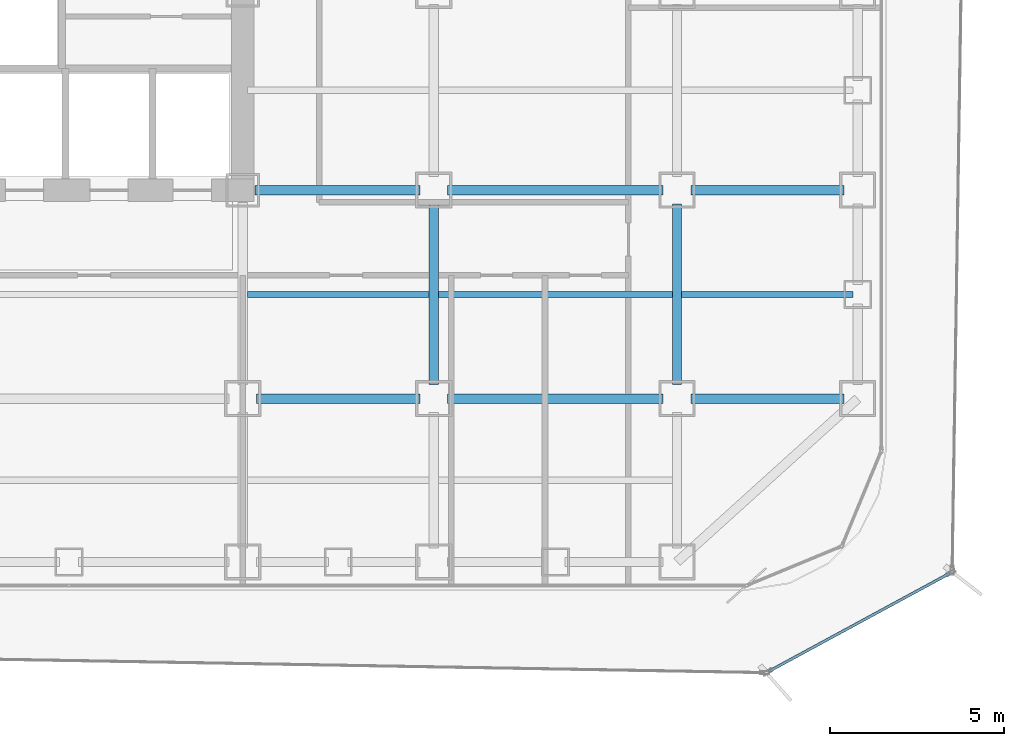
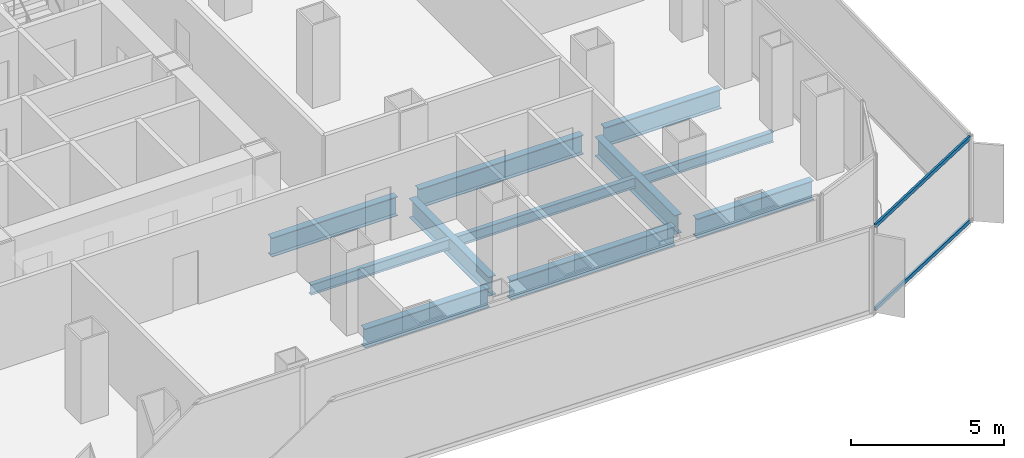
# One storey, part 7 of 21: 11 beams, 2 members, 1 element without a shape of its own.
"""IFC4 building model written with IfcOpenShell, lengths in metres."""

import ifcopenshell
import ifcopenshell.guid

model = None  # the IFC model being written
_history = None  # IfcOwnerHistory: only IFC2X3 demands one
_inside = {}  # id of a spatial element -> (the spatial element, [elements in it])
_under = {}  # id of a project, library or spatial element -> (it, [spatial elements below it])
_declared = {}  # id of a project -> (the project, [libraries it declares])
_typed = {}  # id of a type object -> (the type object, [elements of that type])
_made_of = {}  # id of a material, layer set ... -> (it, [elements and type objects made of it])


def new_model(schema):
    """Start an empty IFC model of exactly this schema.

    Asked for "IFC4X3", IfcOpenShell would pick the latest addendum, in which some entities
    have other attributes; the version numbers below select the first issue.
    IFC2X3 requires an IfcOwnerHistory on every rooted entity: one is made here for all.
    """
    global model, _history
    if schema == "IFC4X3":
        model = ifcopenshell.file(schema_version=(4, 3, 0, 0))
    else:
        model = ifcopenshell.file(schema=schema)
    _inside.clear()
    _under.clear()
    _declared.clear()
    _typed.clear()
    _made_of.clear()
    _history = None
    if model.schema == "IFC2X3":
        org = make("IfcOrganization", Name="unknown")
        user = make(
            "IfcPersonAndOrganization",
            ThePerson=make("IfcPerson", FamilyName="unknown"),
            TheOrganization=org,
        )
        app = make(
            "IfcApplication",
            ApplicationDeveloper=org,
            Version="unknown",
            ApplicationFullName="unknown",
            ApplicationIdentifier="unknown",
        )
        _history = make(
            "IfcOwnerHistory",
            OwningUser=user,
            OwningApplication=app,
            ChangeAction="ADDED",
            CreationDate=0,
        )
    return model


def make(cls, **values):
    """One entity of the class cls with the attributes given. An attribute that is None is left unset."""
    return model.create_entity(
        cls, **{name: value for name, value in values.items() if value is not None}
    )


def rooted(cls, **values):
    """An entity with a GlobalId (a new one), such as an element, a storey or a relation."""
    return make(cls, GlobalId=ifcopenshell.guid.new(), OwnerHistory=_history, **values)


def si_unit(unit_type, name, prefix=None):
    """IfcSIUnit, for example si_unit("LENGTHUNIT", "METRE", prefix="MILLI")."""
    return make("IfcSIUnit", UnitType=unit_type, Prefix=prefix, Name=name)


def assignment(units):
    """IfcUnitAssignment: the units of a project."""
    return None if units is None else make("IfcUnitAssignment", Units=units)


def point(xyz):
    """IfcCartesianPoint."""
    return None if xyz is None else make("IfcCartesianPoint", Coordinates=xyz)


def direction(xyz):
    """IfcDirection."""
    return None if xyz is None else make("IfcDirection", DirectionRatios=xyz)


def frame(location, z_axis=None, x_axis=None):
    """IfcAxis2Placement3D, a coordinate frame: its origin and axes. An axis left out is left unset."""
    return make(
        "IfcAxis2Placement3D",
        Location=point(location),
        Axis=direction(z_axis),
        RefDirection=direction(x_axis),
    )


def frame_2d(location, x_axis=None):
    """IfcAxis2Placement2D, a coordinate frame in the plane: its origin and x axis."""
    return make(
        "IfcAxis2Placement2D", Location=point(location), RefDirection=direction(x_axis)
    )


def origin():
    """The frame at (0, 0, 0) with its axes left unset."""
    return frame((0.0, 0.0, 0.0))


def origin_2d():
    """The frame at (0, 0) in the plane with its x axis left unset."""
    return frame_2d((0.0, 0.0))


def place(relative_to, where):
    """IfcLocalPlacement: puts the frame where relative to a parent placement (None: the world)."""
    return make(
        "IfcLocalPlacement", PlacementRelTo=relative_to, RelativePlacement=where
    )


def context(
    kind, dimensions, precision=None, world=None, true_north=None, identifier=None
):
    """IfcGeometricRepresentationContext, for example the 3D "Model" context."""
    return make(
        "IfcGeometricRepresentationContext",
        ContextIdentifier=identifier,
        ContextType=kind,
        CoordinateSpaceDimension=dimensions,
        Precision=precision,
        WorldCoordinateSystem=world,
        TrueNorth=true_north,
    )


def subcontext(parent, identifier, kind, view, scale=None):
    """IfcGeometricRepresentationSubContext, for example "Body" below "Model"."""
    return make(
        "IfcGeometricRepresentationSubContext",
        ContextIdentifier=identifier,
        ContextType=kind,
        ParentContext=parent,
        TargetScale=scale,
        TargetView=view,
    )


def project(units=None, contexts=None):
    """IfcProject with its units and contexts."""
    return rooted(
        "IfcProject",
        Name="project",
        RepresentationContexts=contexts,
        UnitsInContext=assignment(units),
    )


def spatial(cls, under=None, at=None, **own):
    """A site, building, storey or space (cls), placed at a placement, below another one or the project."""
    s = rooted(cls, ObjectPlacement=at, **own)
    if under is not None:
        _under.setdefault(under.id(), (under, []))[1].append(s)
    return s


def profile(cls, at=None, kind="AREA", **sizes):
    """A parametric profile (cls). Its sizes go by their IFC names, for example OverallWidth=200.0."""
    return make(cls, ProfileType=kind, Position=at, **sizes)


def hollow_rectangle(**sizes):
    """IfcRectangleHollowProfileDef."""
    return profile("IfcRectangleHollowProfileDef", **sizes)


def i_section(**sizes):
    """IfcIShapeProfileDef."""
    return profile("IfcIShapeProfileDef", **sizes)


def extrude(swept, where, along, depth):
    """IfcExtrudedAreaSolid: the profile swept, set in the frame where, extruded along a direction by depth."""
    return make(
        "IfcExtrudedAreaSolid",
        SweptArea=swept,
        Position=where,
        ExtrudedDirection=direction(along),
        Depth=depth,
    )


def shape(context_of_items, identifier, shape_type, items):
    """IfcShapeRepresentation: the items that make up one representation, for example the "Body"."""
    return make(
        "IfcShapeRepresentation",
        ContextOfItems=context_of_items,
        RepresentationIdentifier=identifier,
        RepresentationType=shape_type,
        Items=items,
    )


def source(mapping_origin, context_of_items, identifier, shape_type, items):
    """IfcRepresentationMap: a shape defined once, which mapped items show again and again."""
    return make(
        "IfcRepresentationMap",
        MappingOrigin=mapping_origin,
        MappedRepresentation=shape(context_of_items, identifier, shape_type, items),
    )


def transform(
    local_origin,
    x_axis=None,
    y_axis=None,
    z_axis=None,
    scale=None,
    scale2=None,
    scale3=None,
    uniform=True,
):
    """IfcCartesianTransformationOperator3D, or its non-uniform kind. x_axis, y_axis, z_axis: its Axis1, 2, 3."""
    if uniform:
        return make(
            "IfcCartesianTransformationOperator3D",
            Axis1=direction(x_axis),
            Axis2=direction(y_axis),
            LocalOrigin=point(local_origin),
            Scale=scale,
            Axis3=direction(z_axis),
        )
    return make(
        "IfcCartesianTransformationOperator3DnonUniform",
        Axis1=direction(x_axis),
        Axis2=direction(y_axis),
        LocalOrigin=point(local_origin),
        Scale=scale,
        Axis3=direction(z_axis),
        Scale2=scale2,
        Scale3=scale3,
    )


def mapped(mapping_source, mapping_target):
    """IfcMappedItem: shows the shape of a source again, moved by a transform."""
    return make(
        "IfcMappedItem", MappingSource=mapping_source, MappingTarget=mapping_target
    )


def material(Name=None, Category=None):
    """IfcMaterial."""
    return make("IfcMaterial", Name=Name, Category=Category)


def layer(
    of_material, thickness, ventilated=None, Name=None, Category=None, Priority=None
):
    """IfcMaterialLayer: one layer of a wall or slab, of a material (None: an air gap)."""
    return make(
        "IfcMaterialLayer",
        Material=of_material,
        LayerThickness=thickness,
        IsVentilated=ventilated,
        Name=Name,
        Category=Category,
        Priority=Priority,
    )


def layer_set(layers, Name=None):
    """IfcMaterialLayerSet."""
    return make("IfcMaterialLayerSet", MaterialLayers=layers, LayerSetName=Name)


def material_profile(
    of_material, cross_section, Name=None, Category=None, Priority=None
):
    """IfcMaterialProfile: a cross section and its material."""
    return make(
        "IfcMaterialProfile",
        Name=Name,
        Material=of_material,
        Profile=cross_section,
        Priority=Priority,
        Category=Category,
    )


def profile_set(profiles, Name=None, composite=None):
    """IfcMaterialProfileSet."""
    return make(
        "IfcMaterialProfileSet",
        Name=Name,
        MaterialProfiles=profiles,
        CompositeProfile=composite,
    )


def made_of(thing, what):
    """Note that an element or type object is made of a material, layer set ...; save() writes the relation."""
    if what is not None:
        _made_of.setdefault(what.id(), (what, []))[1].append(thing)
    return thing


def type_object(cls, material=None, **own):
    """A type object (cls), such as IfcWallType, which elements share."""
    return made_of(rooted(cls, **own), material)


def element(
    cls,
    number,
    at=None,
    inside=None,
    cuts=None,
    type_object=None,
    material=None,
    context=None,
    identifier="Body",
    shape_type=None,
    held_by="IfcProductDefinitionShape",
    body=None,
    shapes=None,
    **own,
):
    """One element of the class cls, such as IfcWall. Its Tag is "e" and its number.

    at: its placement. inside: the storey or other place that contains it. cuts: it is an
    opening in that element (IfcRelVoidsElement). A single representation is given by context,
    identifier, shape_type and body (its items); several are given by shapes. held_by: the class
    of the entity that holds the representations. save() writes the other relations.
    """
    e = rooted(cls, Tag="e%d" % number, ObjectPlacement=at, **own)
    if body is not None:
        shapes = [shape(context, identifier, shape_type, body)]
    if shapes is not None:
        e.Representation = make(held_by, Representations=shapes)
    if inside is not None:
        _inside.setdefault(inside.id(), (inside, []))[1].append(e)
    if cuts is not None:
        rooted(
            "IfcRelVoidsElement", RelatingBuildingElement=cuts, RelatedOpeningElement=e
        )
    if type_object is not None:
        _typed.setdefault(type_object.id(), (type_object, []))[1].append(e)
    return made_of(e, material)


def aggregate(whole, parts):
    """IfcRelAggregates: a whole, such as a stair, and the parts it consists of."""
    return rooted("IfcRelAggregates", RelatingObject=whole, RelatedObjects=parts)


def save(model, path):
    """Write the relations noted so far, then the file.

    IfcRelAggregates (storeys below a building ...), IfcRelContainedInSpatialStructure (elements
    in a storey), IfcRelDefinesByType, IfcRelAssociatesMaterial and IfcRelDeclares: one each for
    every whole, place, type object, material and project.
    """
    for whole, parts in _under.values():
        aggregate(whole, parts)
    for where, things in _inside.values():
        rooted(
            "IfcRelContainedInSpatialStructure",
            RelatedElements=things,
            RelatingStructure=where,
        )
    for kind, things in _typed.values():
        rooted("IfcRelDefinesByType", RelatedObjects=things, RelatingType=kind)
    for what, things in _made_of.values():
        rooted("IfcRelAssociatesMaterial", RelatedObjects=things, RelatingMaterial=what)
    for by, libraries in _declared.values():
        rooted("IfcRelDeclares", RelatingContext=by, RelatedDefinitions=libraries)
    model.write(path)


model = new_model("IFC4")

# Units and contexts
model_context = context("Model", 3, precision=1e-05, world=origin(), true_north=direction((0.0, 1.0)))
body_context = subcontext(model_context, "Body", "Model", "MODEL_VIEW")
ifc_project = project(units=[si_unit("LENGTHUNIT", "METRE"), si_unit("AREAUNIT", "SQUARE_METRE"), si_unit("VOLUMEUNIT", "CUBIC_METRE"), si_unit("PLANEANGLEUNIT", "RADIAN"), si_unit("MASSUNIT", "GRAM", prefix="KILO")], contexts=[model_context])

# Site, building, storey
site_placement = place(None, origin())
site = spatial("IfcSite", under=ifc_project, at=site_placement, CompositionType="ELEMENT")
building_placement = place(site_placement, origin())
building = spatial("IfcBuilding", under=site, at=building_placement, Name="Kolveth Station Tower", CompositionType="ELEMENT")
storey_placement = place(building_placement, frame((0.0, 0.0, 36.89990234375)))
storey = spatial("IfcBuildingStorey", under=building, at=storey_placement, Name="L09", CompositionType="ELEMENT", Elevation=36.89990234375)

# Beams
ifc_material_1 = material(Name="Steel S355", Category="steel")
ifc_material_profile_1 = material_profile(ifc_material_1, i_section(OverallWidth=0.26708984375, OverallDepth=0.76611328125, WebThickness=0.014892578125, FlangeThickness=0.023681640625, at=origin_2d()), Name="W760x185")
ifc_profile_set_1 = profile_set([ifc_material_profile_1], Name="Steel S355")
beam_type_1 = type_object("IfcBeamType", Name="Beam_B3", PredefinedType="BEAM", material=ifc_profile_set_1)
shared_shape_1 = source(origin(), body_context, "Body", "SweptSolid", [
    extrude(i_section(OverallWidth=0.26708984375, OverallDepth=0.76611328125, WebThickness=0.014892578125, FlangeThickness=0.023681640625, at=origin_2d()), origin(), (0.0, 0.0, 1.0), 4.400146484375),
])
for number, where, z_axis, x_axis, name in (
    (1, (41.39990234375, 5.5, -0.662841796875), (1.0, 0.0, 0.0), (0.0, 1.0, 0.0), "L09 Primary Girder BM-L09-GY55-7"),
    (2, (41.39990234375, 11.5, -0.662841796875), (1.0, 0.0, 0.0), (0.0, 1.0, 0.0), "L09 Primary Girder BM-L09-GY115-7"),
):
    element("IfcBeam", number, at=place(storey_placement, frame(where, z_axis=z_axis, x_axis=x_axis)), inside=storey, type_object=beam_type_1, Name=name, PredefinedType="BEAM", context=body_context, shape_type="MappedRepresentation", body=[
        mapped(shared_shape_1, transform((0.0, 0.0, 0.0), x_axis=(1.0, 0.0, 0.0), y_axis=(0.0, 1.0, 0.0), z_axis=(0.0, 0.0, 1.0), scale=1.0)),
    ])
shared_shape_2 = source(origin(), body_context, "Body", "SweptSolid", [
    extrude(i_section(OverallWidth=0.26708984375, OverallDepth=0.76611328125, WebThickness=0.014892578125, FlangeThickness=0.023681640625, at=origin_2d()), origin(), (0.0, 0.0, 1.0), 6.2001953125),
])
for number, where, z_axis, x_axis, name in (
    (3, (34.39990234375, 5.5, -0.662841796875), (1.0, 0.0, 0.0), (0.0, 1.0, 0.0), "L09 Primary Girder BM-L09-GY55-6"),
    (4, (34.39990234375, 11.5, -0.662841796875), (1.0, 0.0, 0.0), (0.0, 1.0, 0.0), "L09 Primary Girder BM-L09-GY115-6"),
):
    element("IfcBeam", number, at=place(storey_placement, frame(where, z_axis=z_axis, x_axis=x_axis)), inside=storey, type_object=beam_type_1, Name=name, PredefinedType="BEAM", context=body_context, shape_type="MappedRepresentation", body=[
        mapped(shared_shape_2, transform((0.0, 0.0, 0.0), x_axis=(1.0, 0.0, 0.0), y_axis=(0.0, 1.0, 0.0), z_axis=(0.0, 0.0, 1.0), scale=1.0)),
    ])
shared_shape_3 = source(origin(), body_context, "Body", "SweptSolid", [
    extrude(i_section(OverallWidth=0.26708984375, OverallDepth=0.76611328125, WebThickness=0.014892578125, FlangeThickness=0.023681640625, at=origin_2d()), origin(), (0.0, 0.0, 1.0), 4.7001953125),
])
beam_1_placement = place(storey_placement, frame((28.89990234375, 5.5, -0.662841796875), z_axis=(1.0, 0.0, 0.0), x_axis=(0.0, 1.0, 0.0)))
element("IfcBeam", 5, at=beam_1_placement, inside=storey, type_object=beam_type_1, Name="L09 Primary Girder BM-L09-GY55-5", PredefinedType="BEAM", context=body_context, shape_type="MappedRepresentation", body=[
    mapped(shared_shape_3, transform((0.0, 0.0, 0.0), x_axis=(1.0, 0.0, 0.0), y_axis=(0.0, 1.0, 0.0), z_axis=(0.0, 0.0, 1.0), scale=1.0)),
])
shared_shape_4 = source(origin(), body_context, "Body", "SweptSolid", [
    extrude(i_section(OverallWidth=0.26708984375, OverallDepth=0.76611328125, WebThickness=0.014892578125, FlangeThickness=0.023681640625, at=origin_2d()), origin(), (0.0, 0.0, 1.0), 4.739990234375),
])
beam_2_placement = place(storey_placement, frame((28.860107421875, 11.5, -0.662841796875), z_axis=(1.0, 0.0, 0.0), x_axis=(0.0, 1.0, 0.0)))
element("IfcBeam", 6, at=beam_2_placement, inside=storey, type_object=beam_type_1, Name="L09 Primary Girder BM-L09-GY115-5", PredefinedType="BEAM", context=body_context, shape_type="MappedRepresentation", body=[
    mapped(shared_shape_4, transform((0.0, 0.0, 0.0), x_axis=(1.0, 0.0, 0.0), y_axis=(0.0, 1.0, 0.0), z_axis=(0.0, 0.0, 1.0), scale=1.0)),
])
shared_shape_5 = source(origin(), body_context, "Body", "SweptSolid", [
    extrude(i_section(OverallWidth=0.26708984375, OverallDepth=0.76611328125, WebThickness=0.014892578125, FlangeThickness=0.023681640625, at=origin_2d()), origin(), (0.0, 0.0, 1.0), 5.2001953125),
])
for number, where, z_axis, x_axis, name in (
    (7, (34.0, 5.89990234375, -0.662841796875), (0.0, 1.0, 0.0), (-1.0, 0.0, 0.0), "L09 Primary Girder BM-L09-GX340-2"),
    (8, (41.0, 5.89990234375, -0.662841796875), (0.0, 1.0, 0.0), (-1.0, 0.0, 0.0), "L09 Primary Girder BM-L09-GX410-2"),
):
    element("IfcBeam", number, at=place(storey_placement, frame(where, z_axis=z_axis, x_axis=x_axis)), inside=storey, type_object=beam_type_1, Name=name, PredefinedType="BEAM", context=body_context, shape_type="MappedRepresentation", body=[
        mapped(shared_shape_5, transform((0.0, 0.0, 0.0), x_axis=(1.0, 0.0, 0.0), y_axis=(0.0, 1.0, 0.0), z_axis=(0.0, 0.0, 1.0), scale=1.0)),
    ])
ifc_material_profile_2 = material_profile(ifc_material_1, i_section(OverallWidth=0.177978515625, OverallDepth=0.406982421875, WebThickness=0.0078125, FlangeThickness=0.0126953125, at=origin_2d()), Name="W410x60")
ifc_profile_set_2 = profile_set([ifc_material_profile_2], Name="Steel S355")
beam_type_2 = type_object("IfcBeamType", Name="Beam_J1", PredefinedType="JOIST", material=ifc_profile_set_2)
shared_shape_6 = source(origin(), body_context, "Body", "SweptSolid", [
    extrude(i_section(OverallWidth=0.177978515625, OverallDepth=0.406982421875, WebThickness=0.0078125, FlangeThickness=0.0126953125, at=origin_2d()), origin(), (0.0, 0.0, 1.0), 4.935791015625),
])
beam_3_placement = place(storey_placement, frame((41.131591796875, 8.5, -0.4833984375), z_axis=(1.0, 0.0, 0.0), x_axis=(0.0, 1.0, 0.0)))
element("IfcBeam", 9, at=beam_3_placement, inside=storey, type_object=beam_type_2, Name="L09 Secondary Joist JST-L09-7-2", PredefinedType="JOIST", context=body_context, shape_type="MappedRepresentation", body=[
    mapped(shared_shape_6, transform((0.0, 0.0, 0.0), x_axis=(1.0, 0.0, 0.0), y_axis=(0.0, 1.0, 0.0), z_axis=(0.0, 0.0, 1.0), scale=1.0)),
])
shared_shape_7 = source(origin(), body_context, "Body", "SweptSolid", [
    extrude(i_section(OverallWidth=0.177978515625, OverallDepth=0.406982421875, WebThickness=0.0078125, FlangeThickness=0.0126953125, at=origin_2d()), origin(), (0.0, 0.0, 1.0), 6.73681640625),
])
beam_4_placement = place(storey_placement, frame((34.131591796875, 8.5, -0.4833984375), z_axis=(1.0, 0.0, 0.0), x_axis=(0.0, 1.0, 0.0)))
element("IfcBeam", 10, at=beam_4_placement, inside=storey, type_object=beam_type_2, Name="L09 Secondary Joist JST-L09-6-2", PredefinedType="JOIST", context=body_context, shape_type="MappedRepresentation", body=[
    mapped(shared_shape_7, transform((0.0, 0.0, 0.0), x_axis=(1.0, 0.0, 0.0), y_axis=(0.0, 1.0, 0.0), z_axis=(0.0, 0.0, 1.0), scale=1.0)),
])
shared_shape_8 = source(origin(), body_context, "Body", "SweptSolid", [
    extrude(i_section(OverallWidth=0.177978515625, OverallDepth=0.406982421875, WebThickness=0.0078125, FlangeThickness=0.0126953125, at=origin_2d()), origin(), (0.0, 0.0, 1.0), 5.23681640625),
])
beam_5_placement = place(storey_placement, frame((28.631591796875, 8.5, -0.4833984375), z_axis=(1.0, 0.0, 0.0), x_axis=(0.0, 1.0, 0.0)))
element("IfcBeam", 11, at=beam_5_placement, inside=storey, type_object=beam_type_2, Name="L09 Secondary Joist JST-L09-5-2", PredefinedType="JOIST", context=body_context, shape_type="MappedRepresentation", body=[
    mapped(shared_shape_8, transform((0.0, 0.0, 0.0), x_axis=(1.0, 0.0, 0.0), y_axis=(0.0, 1.0, 0.0), z_axis=(0.0, 0.0, 1.0), scale=1.0)),
])

# Curtain wall, members
ifc_material_2 = material(Name="Black anodized aluminium 6063-T6 and dark solar glass", Category="aluminium")
ifc_layer = layer(ifc_material_2, 0.159912109375)
ifc_layer_set = layer_set([ifc_layer], Name="Black anodized aluminium 6063-T6 and dark solar glass")
curtain_wall_type = type_object("IfcCurtainWallType", Name="OUTER SKIN CW-OS", PredefinedType="NOTDEFINED", material=ifc_layer_set)
curtain_wall_placement = place(storey_placement, origin())
curtain_wall = element("IfcCurtainWall", 12, at=curtain_wall_placement, inside=storey, type_object=curtain_wall_type, Name="L09 Outer Ventilated Skin Curtain Wall 1", PredefinedType="NOTDEFINED")
ifc_material_3 = material(Name="Black anodized aluminium 6063-T6", Category="aluminium")
ifc_material_profile_3 = material_profile(ifc_material_3, hollow_rectangle(XDim=0.080078125, YDim=0.14990234375, WallThickness=0.0048828125, at=origin_2d()), Name="ALU-80x150x5")
ifc_profile_set_3 = profile_set([ifc_material_profile_3], Name="Black anodized aluminium 6063-T6")
member_type = type_object("IfcMemberType", Name="Transom_TR-OS", PredefinedType="USERDEFINED", material=ifc_profile_set_3)
shared_shape_9 = source(origin(), body_context, "Body", "SweptSolid", [
    extrude(hollow_rectangle(XDim=0.080078125, YDim=0.14990234375, WallThickness=0.0048828125, at=origin_2d()), origin(), (0.0, 0.0, 1.0), 5.908203125),
])
member_1_placement = place(storey_placement, frame((43.64794921875, -2.347412109375, 0.0400390625), z_axis=(0.879206146918, 0.476441550687, 0.0), x_axis=(-0.476441550687, 0.879206146918, 0.0)))
member_1 = element("IfcMember", 13, at=member_1_placement, type_object=member_type, Name="CW-OS transom 1.1", ObjectType="TRANSOM", PredefinedType="USERDEFINED", context=body_context, shape_type="MappedRepresentation", body=[
    mapped(shared_shape_9, transform((0.0, 0.0, 0.0), x_axis=(1.0, 0.0, 0.0), y_axis=(0.0, 1.0, 0.0), z_axis=(0.0, 0.0, 1.0), scale=1.0)),
])
member_2_placement = place(storey_placement, frame((43.64794921875, -2.347412109375, 3.35009765625), z_axis=(0.879206146918, 0.476441550687, 0.0), x_axis=(-0.476441550687, 0.879206146918, 0.0)))
member_2 = element("IfcMember", 14, at=member_2_placement, type_object=member_type, Name="CW-OS transom 1.2", ObjectType="TRANSOM", PredefinedType="USERDEFINED", context=body_context, shape_type="MappedRepresentation", body=[
    mapped(shared_shape_9, transform((0.0, 0.0, 0.0), x_axis=(1.0, 0.0, 0.0), y_axis=(0.0, 1.0, 0.0), z_axis=(0.0, 0.0, 1.0), scale=1.0)),
])
aggregate(curtain_wall, [member_1, member_2])

save(model, "model.ifc")
